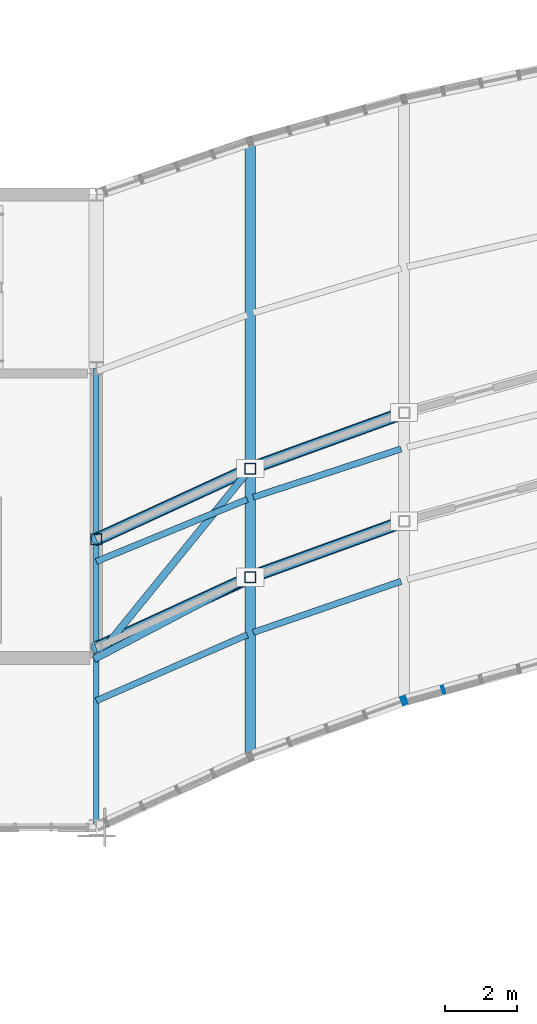
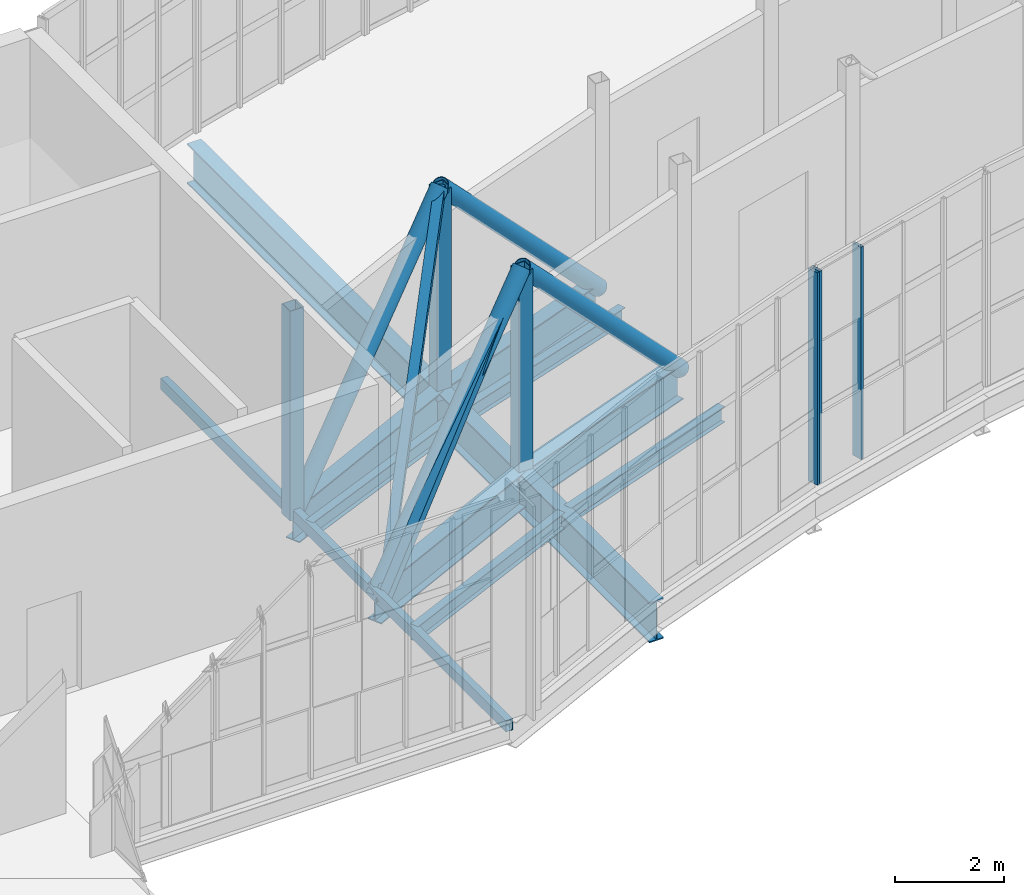
# One storey, part 19 of 46: 12 members, 10 beams, 2 elements without a shape of their own.
"""IFC4 building model written with IfcOpenShell, lengths in metres."""

from ifc_helpers import new_model, si_unit, direction, frame, origin, origin_2d, place, context, subcontext, project, spatial, hollow_rectangle, hollow_circle, i_section, extrude, material, material_profile, profile_set, type_object, element, aggregate, save


model = new_model("IFC4")

# Units and contexts
model_context = context("Model", 3, precision=1e-05, world=origin(), true_north=direction((0.0, 1.0)))
body_context = subcontext(model_context, "Body", "Model", "MODEL_VIEW")
ifc_project = project(units=[si_unit("LENGTHUNIT", "METRE"), si_unit("AREAUNIT", "SQUARE_METRE"), si_unit("VOLUMEUNIT", "CUBIC_METRE"), si_unit("PLANEANGLEUNIT", "RADIAN"), si_unit("MASSUNIT", "GRAM", prefix="KILO")], contexts=[model_context])

# Site, building, storey
site_placement = place(None, origin())
site = spatial("IfcSite", under=ifc_project, at=site_placement, CompositionType="ELEMENT")
building_placement = place(site_placement, origin())
building = spatial("IfcBuilding", under=site, at=building_placement, Name="Solvikara Media Centre", CompositionType="ELEMENT")
storey_placement = place(building_placement, frame((0.0, 0.0, 24.60009765625)))
storey = spatial("IfcBuildingStorey", under=building, at=storey_placement, Name="L05", CompositionType="ELEMENT", Elevation=24.60009765625)

# Beams
ifc_material_1 = material(Name="Steel S355JR", Category="steel")
ifc_material_profile_1 = material_profile(ifc_material_1, i_section(OverallWidth=0.300048828125, OverallDepth=0.89990234375, WebThickness=0.01611328125, FlangeThickness=0.028076171875, at=origin_2d()), Name="WF 900x300x16x28")
ifc_profile_set_1 = profile_set([ifc_material_profile_1], Name="Steel S355JR")
beam_type_1 = type_object("IfcBeamType", Name="BM-15", PredefinedType="BEAM", material=ifc_profile_set_1)
beam_1_placement = place(storey_placement, frame((80.75, 21.279052734375, -0.672119140625), z_axis=(0.0, 1.0, 0.0), x_axis=(-1.0, 0.0, 0.0)))
element("IfcBeam", 1, at=beam_1_placement, inside=storey, type_object=beam_type_1, Name="BG-L05-NS-01", PredefinedType="BEAM", context=body_context, shape_type="SweptSolid", body=[
    extrude(i_section(OverallWidth=0.300048828125, OverallDepth=0.89990234375, WebThickness=0.01611328125, FlangeThickness=0.028076171875, at=origin_2d()), origin(), (0.0, 0.0, 1.0), 16.98095703125),
])
ifc_material_profile_2 = material_profile(ifc_material_1, i_section(OverallWidth=0.300048828125, OverallDepth=0.800048828125, WebThickness=0.013916015625, FlangeThickness=0.02587890625, at=origin_2d()), Name="WF 800x300x14x26")
ifc_profile_set_2 = profile_set([ifc_material_profile_2], Name="Steel S355JR")
beam_type_2 = type_object("IfcBeamType", Name="BM-16", PredefinedType="BEAM", material=ifc_profile_set_2)
for number, where, z_axis, x_axis, name in (
    (2, (76.5, 24.27392578125, -0.6220703125), (0.908513080243, 0.417856414367, 0.0), (-0.417856414367, 0.908513080243, 0.0), "B-L05-SPNS-00"),
    (3, (76.5, 27.27392578125, -0.6220703125), (0.908513080243, 0.417856414367, 0.0), (-0.417856414367, 0.908513080243, 0.0), "B-L05-SPNN-00"),
):
    element("IfcBeam", number, at=place(storey_placement, frame(where, z_axis=z_axis, x_axis=x_axis)), inside=storey, type_object=beam_type_2, Name=name, PredefinedType="BEAM", context=body_context, shape_type="SweptSolid", body=[
        extrude(i_section(OverallWidth=0.300048828125, OverallDepth=0.800048828125, WebThickness=0.013916015625, FlangeThickness=0.02587890625, at=origin_2d()), origin(), (0.0, 0.0, 1.0), 4.587646484375),
    ])
for number, where, z_axis, x_axis, name in (
    (4, (80.8349609375, 26.260009765625, -0.6220703125), (0.939849238439, 0.341589532927, 0.0), (-0.341589532927, 0.939849238439, 0.0), "B-L05-SPNS-01"),
    (5, (80.8349609375, 29.260009765625, -0.6220703125), (0.939849238439, 0.341589532927, 0.0), (-0.341589532927, 0.939849238439, 0.0), "B-L05-SPNN-01"),
):
    element("IfcBeam", number, at=place(storey_placement, frame(where, z_axis=z_axis, x_axis=x_axis)), inside=storey, type_object=beam_type_2, Name=name, PredefinedType="BEAM", context=body_context, shape_type="SweptSolid", body=[
        extrude(i_section(OverallWidth=0.300048828125, OverallDepth=0.800048828125, WebThickness=0.013916015625, FlangeThickness=0.02587890625, at=origin_2d()), origin(), (0.0, 0.0, 1.0), 4.34130859375),
    ])
ifc_material_profile_3 = material_profile(ifc_material_1, i_section(OverallWidth=0.175048828125, OverallDepth=0.35009765625, WebThickness=0.007080078125, FlangeThickness=0.010986328125, at=origin_2d()), Name="WF 350x175x7x11")
ifc_profile_set_3 = profile_set([ifc_material_profile_3], Name="Steel S355JR")
beam_type_3 = type_object("IfcBeamType", Name="BM-22", PredefinedType="JOIST", material=ifc_profile_set_3)
beam_2_placement = place(storey_placement, frame((76.5, 22.819091796875, -0.397216796875), z_axis=(0.916452774581, 0.40014286444, 0.0), x_axis=(-0.40014286444, 0.916452774581, 0.0)))
element("IfcBeam", 6, at=beam_2_placement, inside=storey, type_object=beam_type_3, Name="BJ-L05-00-20", PredefinedType="JOIST", context=body_context, shape_type="SweptSolid", body=[
    extrude(i_section(OverallWidth=0.175048828125, OverallDepth=0.35009765625, WebThickness=0.007080078125, FlangeThickness=0.010986328125, at=origin_2d()), origin(), (0.0, 0.0, 1.0), 4.5478515625),
])
beam_3_placement = place(storey_placement, frame((76.5, 26.6640625, -0.397216796875), z_axis=(0.924906874056, 0.380193732621, 0.0), x_axis=(-0.380193732621, 0.924906874056, 0.0)))
element("IfcBeam", 7, at=beam_3_placement, inside=storey, type_object=beam_type_3, Name="BJ-L05-00-42", PredefinedType="JOIST", context=body_context, shape_type="SweptSolid", body=[
    extrude(i_section(OverallWidth=0.175048828125, OverallDepth=0.35009765625, WebThickness=0.007080078125, FlangeThickness=0.010986328125, at=origin_2d()), origin(), (0.0, 0.0, 1.0), 4.50537109375),
])
beam_4_placement = place(storey_placement, frame((80.8349609375, 24.7041015625, -0.397216796875), z_axis=(0.945019683137, 0.327013453063, 0.0), x_axis=(-0.327013453063, 0.945019683137, 0.0)))
element("IfcBeam", 8, at=beam_4_placement, inside=storey, type_object=beam_type_3, Name="BJ-L05-01-20", PredefinedType="JOIST", context=body_context, shape_type="SweptSolid", body=[
    extrude(i_section(OverallWidth=0.175048828125, OverallDepth=0.35009765625, WebThickness=0.007080078125, FlangeThickness=0.010986328125, at=origin_2d()), origin(), (0.0, 0.0, 1.0), 4.3173828125),
])
beam_5_placement = place(storey_placement, frame((80.8359375, 28.43896484375, -0.397216796875), z_axis=(0.950578037944, 0.310485738447, 0.0), x_axis=(-0.310485738447, 0.950578037944, 0.0)))
element("IfcBeam", 9, at=beam_5_placement, inside=storey, type_object=beam_type_3, Name="BJ-L05-01-42", PredefinedType="JOIST", context=body_context, shape_type="SweptSolid", body=[
    extrude(i_section(OverallWidth=0.175048828125, OverallDepth=0.35009765625, WebThickness=0.007080078125, FlangeThickness=0.010986328125, at=origin_2d()), origin(), (0.0, 0.0, 1.0), 4.2900390625),
])
ifc_material_profile_4 = material_profile(ifc_material_1, hollow_rectangle(XDim=0.14990234375, YDim=0.25, WallThickness=0.008056640625, at=origin_2d()), Name="RHS 250x150x8")
ifc_profile_set_4 = profile_set([ifc_material_profile_4], Name="Steel S355JR")
beam_type_4 = type_object("IfcBeamType", Name="BM-36", PredefinedType="JOIST", material=ifc_profile_set_4)
beam_6_placement = place(storey_placement, frame((76.5, 19.323974609375, -0.34716796875), z_axis=(0.0, 1.0, 0.0), x_axis=(-1.0, 0.0, 0.0)))
element("IfcBeam", 10, at=beam_6_placement, inside=storey, type_object=beam_type_4, Name="B-L05-Y1668", PredefinedType="JOIST", context=body_context, shape_type="SweptSolid", body=[
    extrude(hollow_rectangle(XDim=0.14990234375, YDim=0.25, WallThickness=0.008056640625, at=origin_2d()), origin(), (0.0, 0.0, 1.0), 12.676025390625),
])

# Members
ifc_material_profile_5 = material_profile(ifc_material_1, hollow_circle(Radius=0.177734375, WallThickness=0.012451171875, at=origin_2d()), Name="CHS 355.6x12.5")
ifc_profile_set_5 = profile_set([ifc_material_profile_5], Name="Steel S355JR")
member_type_1 = type_object("IfcMemberType", Name="MB-01", PredefinedType="CHORD", material=ifc_profile_set_5)
member_1_placement = place(storey_placement, frame((76.5, 24.27392578125, -0.4501953125), z_axis=(0.640881562054, 0.294817299456, 0.708769062079), x_axis=(-0.417919391673, 0.908484112169, 0.0)))
element("IfcMember", 11, at=member_1_placement, inside=storey, type_object=member_type_1, Name="WTR-L05-S-DA00", PredefinedType="CHORD", context=body_context, shape_type="SweptSolid", body=[
    extrude(hollow_circle(Radius=0.177734375, WallThickness=0.012451171875, at=origin_2d()), origin(), (0.0, 0.0, 1.0), 6.631591796875),
])
member_2_placement = place(storey_placement, frame((80.75, 26.22900390625, 4.25), z_axis=(0.651605096435, 0.236865639375, -0.720628522321), x_axis=(-0.341639024821, 0.939831249065, 0.0)))
element("IfcMember", 12, at=member_2_placement, inside=storey, type_object=member_type_1, Name="WTR-L05-S-DB01", PredefinedType="CHORD", context=body_context, shape_type="SweptSolid", body=[
    extrude(hollow_circle(Radius=0.177734375, WallThickness=0.012451171875, at=origin_2d()), origin(), (0.0, 0.0, 1.0), 6.5224609375),
])
member_3_placement = place(storey_placement, frame((76.5, 27.27392578125, -0.4501953125), z_axis=(0.640881562054, 0.294817299456, 0.708769062079), x_axis=(-0.417919391673, 0.908484112169, 0.0)))
element("IfcMember", 13, at=member_3_placement, inside=storey, type_object=member_type_1, Name="WTR-L05-N-DA00", PredefinedType="CHORD", context=body_context, shape_type="SweptSolid", body=[
    extrude(hollow_circle(Radius=0.177734375, WallThickness=0.012451171875, at=origin_2d()), origin(), (0.0, 0.0, 1.0), 6.631591796875),
])
member_4_placement = place(storey_placement, frame((80.75, 29.22900390625, 4.25), z_axis=(0.651605096435, 0.236865639375, -0.720628522321), x_axis=(-0.341639024821, 0.939831249065, 0.0)))
element("IfcMember", 14, at=member_4_placement, inside=storey, type_object=member_type_1, Name="WTR-L05-N-DB01", PredefinedType="CHORD", context=body_context, shape_type="SweptSolid", body=[
    extrude(hollow_circle(Radius=0.177734375, WallThickness=0.012451171875, at=origin_2d()), origin(), (0.0, 0.0, 1.0), 6.5224609375),
])
ifc_material_profile_6 = material_profile(ifc_material_1, hollow_rectangle(XDim=0.300048828125, YDim=0.300048828125, WallThickness=0.012451171875, at=origin_2d()), Name="RHS 300x300x12.5")
ifc_profile_set_6 = profile_set([ifc_material_profile_6], Name="Steel S355JR")
member_type_2 = type_object("IfcMemberType", Name="MB-11", PredefinedType="CHORD", material=ifc_profile_set_6)
for number, where, z_axis, x_axis, name in (
    (15, (80.75, 26.22900390625, -0.4501953125), (0.0, 0.0, 1.0), (1.0, 0.0, 0.0), "WTR-L05-S-V01"),
    (16, (76.5, 27.27392578125, -0.4501953125), (0.0, 0.0, 1.0), (1.0, 0.0, 0.0), "WTR-L05-N-V00"),
    (17, (80.75, 29.22900390625, -0.4501953125), (0.0, 0.0, 1.0), (1.0, 0.0, 0.0), "WTR-L05-N-V01"),
):
    element("IfcMember", number, at=place(storey_placement, frame(where, z_axis=z_axis, x_axis=x_axis)), inside=storey, type_object=member_type_2, Name=name, PredefinedType="CHORD", context=body_context, shape_type="SweptSolid", body=[
        extrude(hollow_rectangle(XDim=0.300048828125, YDim=0.300048828125, WallThickness=0.012451171875, at=origin_2d()), origin(), (0.0, 0.0, 1.0), 4.7001953125),
    ])
ifc_material_profile_7 = material_profile(ifc_material_1, hollow_rectangle(XDim=0.199951171875, YDim=0.199951171875, WallThickness=0.008056640625, at=origin_2d()), Name="RHS 200x200x8")
ifc_profile_set_7 = profile_set([ifc_material_profile_7], Name="Steel S355JR")
member_type_3 = type_object("IfcMemberType", Name="MB-13", PredefinedType="BRACE", material=ifc_profile_set_7)
member_5_placement = place(storey_placement, frame((76.5, 24.0, -0.4501953125), z_axis=(0.632689950862, 0.331827852216, 0.699709727367), x_axis=(-0.464466958116, 0.885590449823, 0.0)))
element("IfcMember", 18, at=member_5_placement, inside=storey, type_object=member_type_3, Name="WTR-L05-S-ANCW", PredefinedType="BRACE", context=body_context, shape_type="SweptSolid", body=[
    extrude(hollow_rectangle(XDim=0.199951171875, YDim=0.199951171875, WallThickness=0.008056640625, at=origin_2d()), origin(), (0.0, 0.0, 1.0), 6.71728515625),
])
member_6_placement = place(storey_placement, frame((76.5, 24.0, -0.4501953125), z_axis=(0.517305720426, 0.636469090078, 0.572103040535), x_axis=(-0.77600981283, 0.63072083396, 0.0)))
element("IfcMember", 19, at=member_6_placement, inside=storey, type_object=member_type_3, Name="WTR-L05-N-ANCW", PredefinedType="BRACE", context=body_context, shape_type="SweptSolid", body=[
    extrude(hollow_rectangle(XDim=0.199951171875, YDim=0.199951171875, WallThickness=0.008056640625, at=origin_2d()), origin(), (0.0, 0.0, 1.0), 8.215576171875),
])

# Curtain wall, member
ifc_material_2 = material(Name="Anodised aluminium EN AW-6063", Category="aluminium")
curtain_wall_type = type_object("IfcCurtainWallType", Name="CW-01", PredefinedType="NOTDEFINED", material=ifc_material_2)
curtain_wall_1_placement = place(storey_placement, origin())
curtain_wall_1 = element("IfcCurtainWall", 20, at=curtain_wall_1_placement, inside=storey, type_object=curtain_wall_type, Name="CW-L05-SARC-01", PredefinedType="NOTDEFINED")
ifc_material_profile_8 = material_profile(ifc_material_2, hollow_rectangle(XDim=0.06494140625, YDim=0.219970703125, WallThickness=0.00390625, at=origin_2d()), Name="ALU-M 65x220x4")
ifc_profile_set_8 = profile_set([ifc_material_profile_8], Name="Anodised aluminium EN AW-6063")
member_type_4 = type_object("IfcMemberType", Name="MF-01", PredefinedType="MULLION", material=ifc_profile_set_8)
member_7_placement = place(storey_placement, frame((84.967041015625, 22.81201171875, 0.02001953125), z_axis=(0.0, 0.0, 1.0), x_axis=(0.939823877818, 0.341659302058, 0.0)))
member_7 = element("IfcMember", 21, at=member_7_placement, type_object=member_type_4, Name="CW-L05-SARC-01-M04", PredefinedType="MULLION", context=body_context, shape_type="SweptSolid", body=[
    extrude(hollow_rectangle(XDim=0.06494140625, YDim=0.219970703125, WallThickness=0.00390625, at=origin_2d()), origin(), (0.0, 0.0, 1.0), 4.759765625),
])
aggregate(curtain_wall_1, [member_7])

# Curtain wall, members
curtain_wall_2_placement = place(storey_placement, origin())
curtain_wall_2 = element("IfcCurtainWall", 22, at=curtain_wall_2_placement, inside=storey, type_object=curtain_wall_type, Name="CW-L05-SARC-02", PredefinedType="NOTDEFINED")
member_8_placement = place(storey_placement, frame((85.033935546875, 22.8330078125, 0.02001953125), z_axis=(0.0, 0.0, 1.0), x_axis=(0.96397015682, 0.26601040724, 0.0)))
member_8 = element("IfcMember", 23, at=member_8_placement, type_object=member_type_4, Name="CW-L05-SARC-02-M00", PredefinedType="MULLION", context=body_context, shape_type="SweptSolid", body=[
    extrude(hollow_rectangle(XDim=0.06494140625, YDim=0.219970703125, WallThickness=0.00390625, at=origin_2d()), origin(), (0.0, 0.0, 1.0), 4.759765625),
])
member_9_placement = place(storey_placement, frame((86.080078125, 23.1220703125, 0.02001953125), z_axis=(0.0, 0.0, 1.0), x_axis=(0.96397015682, 0.26601040724, 0.0)))
member_9 = element("IfcMember", 24, at=member_9_placement, type_object=member_type_4, Name="CW-L05-SARC-02-M01", PredefinedType="MULLION", context=body_context, shape_type="SweptSolid", body=[
    extrude(hollow_rectangle(XDim=0.06494140625, YDim=0.219970703125, WallThickness=0.00390625, at=origin_2d()), origin(), (0.0, 0.0, 1.0), 4.759765625),
])
aggregate(curtain_wall_2, [member_8, member_9])

save(model, "model.ifc")
